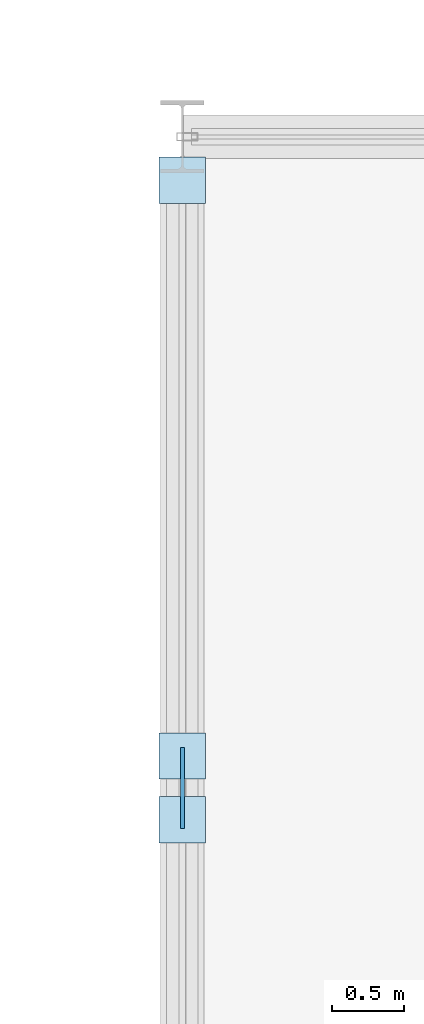
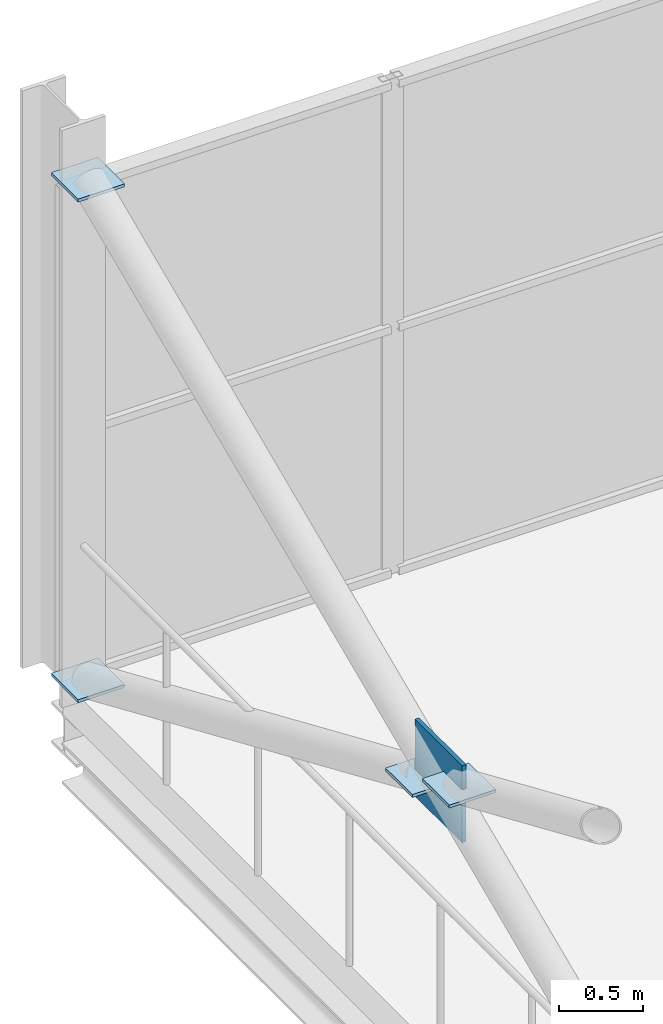
# One storey, part 108 of 135: 5 plates.
"""IFC4 building model written with IfcOpenShell, lengths in metres."""

from ifc_helpers import new_model, si_unit, direction, frame, origin, origin_2d, place, context, subcontext, project, spatial, rectangle, extrude, material, layer, layer_set, type_object, element, save


model = new_model("IFC4")

# Units and contexts
model_context = context("Model", 3, precision=1e-05, world=origin(), true_north=direction((0.0, 1.0)))
body_context = subcontext(model_context, "Body", "Model", "MODEL_VIEW")
ifc_project = project(units=[si_unit("LENGTHUNIT", "METRE"), si_unit("AREAUNIT", "SQUARE_METRE"), si_unit("VOLUMEUNIT", "CUBIC_METRE"), si_unit("PLANEANGLEUNIT", "RADIAN"), si_unit("MASSUNIT", "GRAM", prefix="KILO")], contexts=[model_context])

# Site, building, storey
site_placement = place(None, origin())
site = spatial("IfcSite", under=ifc_project, at=site_placement, CompositionType="ELEMENT")
building_placement = place(site_placement, origin())
building = spatial("IfcBuilding", under=site, at=building_placement, Name="Deido Ridge Mobility Hub", CompositionType="ELEMENT")
storey_placement = place(building_placement, frame((0.0, 0.0, 4.199951171875)))
storey = spatial("IfcBuildingStorey", under=building, at=storey_placement, Name="L01", CompositionType="ELEMENT", Elevation=4.199951171875)

# Plates
ifc_material = material(Name="Steel S355J2 EN 10025-2", Category="steel")
ifc_layer_1 = layer(ifc_material, 0.02197265625, Name="Steel S355J2 EN 10025-2")
ifc_layer_set_1 = layer_set([ifc_layer_1], Name="Steel S355J2 EN 10025-2")
plate_type_1 = type_object("IfcPlateType", Name="PLT-CAP-22", PredefinedType="USERDEFINED", material=ifc_layer_set_1)
for number, where, z_axis, x_axis, name in (
    (1, (0.0, 80.699951171875, 3.80908203125), (0.0, 0.0, 1.0), (1.0, 0.0, 0.0), "Brace sealed end-cap plate EC2 93"),
    (2, (0.0, 80.699951171875, 0.1689453125), (0.0, 0.0, 1.0), (1.0, 0.0, 0.0), "Brace sealed end-cap plate EC2 94"),
    (3, (0.0, 76.72021484375, 1.8935546875), (0.0, 0.0, 1.0), (1.0, 0.0, 0.0), "Brace sealed end-cap plate EC2 96"),
    (4, (0.0, 76.27978515625, 2.08447265625), (0.0, 0.0, 1.0), (1.0, 0.0, 0.0), "Brace sealed end-cap plate EC2 97"),
):
    element("IfcPlate", number, at=place(storey_placement, frame(where, z_axis=z_axis, x_axis=x_axis)), inside=storey, type_object=plate_type_1, Name=name, ObjectType="END CAP PLATE", PredefinedType="USERDEFINED", context=body_context, shape_type="SweptSolid", body=[
        extrude(rectangle(XDim=0.320068359375, YDim=0.320068359375, at=origin_2d()), origin(), (0.0, 0.0, 1.0), 0.02197265625),
    ])
ifc_layer_2 = layer(ifc_material, 0.028076171875, Name="Steel S355J2 EN 10025-2")
ifc_layer_set_2 = layer_set([ifc_layer_2], Name="Steel S355J2 EN 10025-2")
plate_type_2 = type_object("IfcPlateType", Name="PLT-GUS-28", PredefinedType="USERDEFINED", material=ifc_layer_set_2)
plate_placement = place(storey_placement, frame((0.0, 76.5, 1.719970703125), z_axis=(0.0, 0.0, 1.0), x_axis=(0.0, 1.0, 0.0)))
element("IfcPlate", 5, at=plate_placement, inside=storey, type_object=plate_type_2, Name="X-brace central crossing gusset plate GP3 98", ObjectType="GUSSET PLATE", PredefinedType="USERDEFINED", context=body_context, shape_type="SweptSolid", body=[
    extrude(rectangle(XDim=0.56005859375, YDim=0.028076171875, at=origin_2d()), origin(), (0.0, 0.0, 1.0), 0.56005859375),
])

save(model, "model.ifc")
